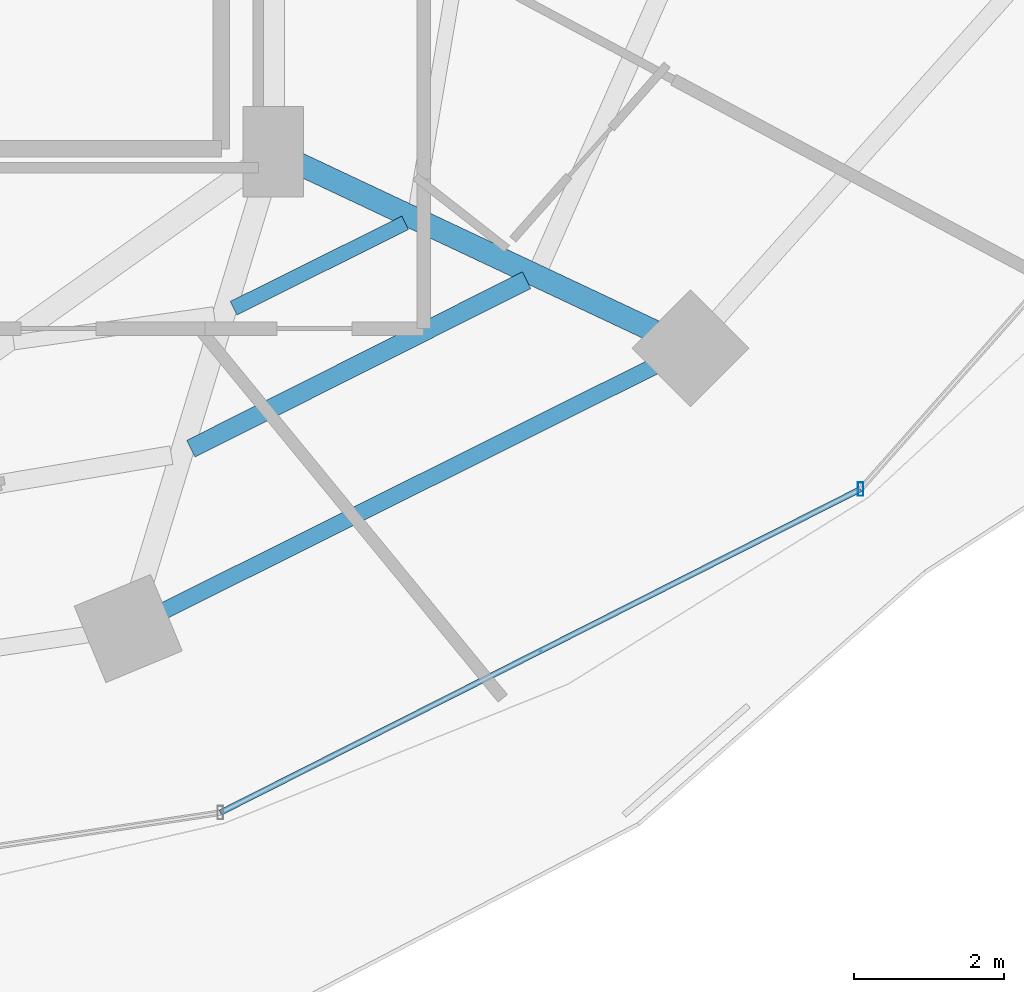
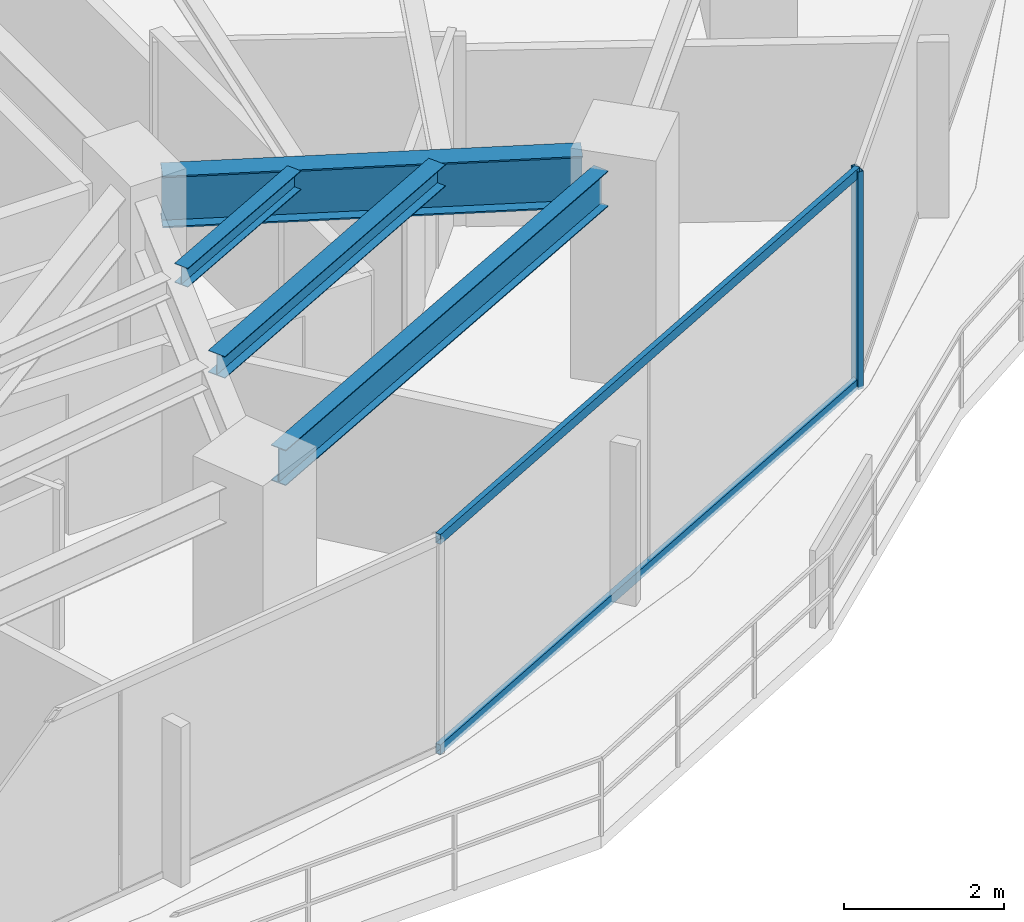
# One storey, part 11 of 29: 4 beams, 3 members, 1 element without a shape of its own.
"""IFC4 building model written with IfcOpenShell, lengths in metres."""

from ifc_helpers import new_model, si_unit, direction, frame, origin, origin_2d, place, context, subcontext, project, spatial, hollow_rectangle, i_section, extrude, material, material_profile, profile_set, type_object, element, aggregate, save


model = new_model("IFC4")

# Units and contexts
model_context = context("Model", 3, precision=1e-05, world=origin(), true_north=direction((0.0, 1.0)))
body_context = subcontext(model_context, "Body", "Model", "MODEL_VIEW")
ifc_project = project(units=[si_unit("LENGTHUNIT", "METRE"), si_unit("AREAUNIT", "SQUARE_METRE"), si_unit("VOLUMEUNIT", "CUBIC_METRE"), si_unit("PLANEANGLEUNIT", "RADIAN"), si_unit("MASSUNIT", "GRAM", prefix="KILO")], contexts=[model_context])

# Site, building, storey
site_placement = place(None, origin())
site = spatial("IfcSite", under=ifc_project, at=site_placement, CompositionType="ELEMENT")
building_placement = place(site_placement, origin())
building = spatial("IfcBuilding", under=site, at=building_placement, Name="Vorneva Point Tower", CompositionType="ELEMENT")
storey_placement = place(building_placement, frame((0.0, 0.0, 110.300048828125)))
storey = spatial("IfcBuildingStorey", under=building, at=storey_placement, Name="L29", CompositionType="ELEMENT", Elevation=110.300048828125)

# Beams
ifc_material_1 = material(Name="Steel S355", Category="steel")
ifc_material_profile_1 = material_profile(ifc_material_1, i_section(OverallWidth=0.300048828125, OverallDepth=0.7880859375, WebThickness=0.014404296875, FlangeThickness=0.02197265625, at=origin_2d()), Name="80Sh1")
ifc_profile_set_1 = profile_set([ifc_material_profile_1], Name="Steel S355")
beam_type_1 = type_object("IfcBeamType", Name="BM-GRD-80Sh1", PredefinedType="USERDEFINED", material=ifc_profile_set_1)
beam_1_placement = place(storey_placement, frame((53.81201171875, 14.06689453125, 2.845947265625), z_axis=(-0.904751304927, 0.425940226126, 0.0), x_axis=(-0.425940226126, -0.904751304927, 0.0)))
element("IfcBeam", 1, at=beam_1_placement, inside=storey, type_object=beam_type_1, Name="L29 Radial Primary Girder 15", ObjectType="GIRDER", PredefinedType="USERDEFINED", context=body_context, shape_type="SweptSolid", body=[
    extrude(i_section(OverallWidth=0.300048828125, OverallDepth=0.7880859375, WebThickness=0.014404296875, FlangeThickness=0.02197265625, at=origin_2d()), origin(), (0.0, 0.0, 1.0), 5.2548828125),
])
ifc_material_profile_2 = material_profile(ifc_material_1, i_section(OverallWidth=0.199951171875, OverallDepth=0.291015625, WebThickness=0.008056640625, FlangeThickness=0.010986328125, at=origin_2d()), Name="30Sh1")
ifc_profile_set_2 = profile_set([ifc_material_profile_2], Name="Steel S355")
beam_type_2 = type_object("IfcBeamType", Name="BM-SEC-30Sh1", PredefinedType="BEAM", material=ifc_profile_set_2)
beam_2_placement = place(storey_placement, frame((48.222412109375, 14.370849609375, 3.094482421875), z_axis=(0.895364579083, 0.445333886566, 0.0), x_axis=(-0.445333886566, 0.895364579083, 0.0)))
element("IfcBeam", 2, at=beam_2_placement, inside=storey, type_object=beam_type_2, Name="L29 Secondary Floor Beam 2.14", PredefinedType="BEAM", context=body_context, shape_type="SweptSolid", body=[
    extrude(i_section(OverallWidth=0.199951171875, OverallDepth=0.291015625, WebThickness=0.008056640625, FlangeThickness=0.010986328125, at=origin_2d()), origin(), (0.0, 0.0, 1.0), 2.547119140625),
])
ifc_material_profile_3 = material_profile(ifc_material_1, i_section(OverallWidth=0.2490234375, OverallDepth=0.333984375, WebThickness=0.008056640625, FlangeThickness=0.010986328125, at=origin_2d()), Name="35Sh1")
ifc_profile_set_3 = profile_set([ifc_material_profile_3], Name="Steel S355")
beam_type_3 = type_object("IfcBeamType", Name="BM-SEC-35Sh1", PredefinedType="BEAM", material=ifc_profile_set_3)
beam_3_placement = place(storey_placement, frame((47.653076171875, 12.501220703125, 3.072998046875), z_axis=(0.893693254795, 0.448678466537, 0.0), x_axis=(-0.448678466537, 0.893693254795, 0.0)))
element("IfcBeam", 3, at=beam_3_placement, inside=storey, type_object=beam_type_3, Name="L29 Secondary Floor Beam 1.14", PredefinedType="BEAM", context=body_context, shape_type="SweptSolid", body=[
    extrude(i_section(OverallWidth=0.2490234375, OverallDepth=0.333984375, WebThickness=0.008056640625, FlangeThickness=0.010986328125, at=origin_2d()), origin(), (0.0, 0.0, 1.0), 4.997802734375),
])
ifc_material_profile_4 = material_profile(ifc_material_1, i_section(OverallWidth=0.219970703125, OverallDepth=0.54296875, WebThickness=0.009521484375, FlangeThickness=0.013427734375, at=origin_2d()), Name="55B1")
ifc_profile_set_4 = profile_set([ifc_material_profile_4], Name="Steel S355")
beam_type_4 = type_object("IfcBeamType", Name="BM-SPN-55B1", PredefinedType="SPANDREL", material=ifc_profile_set_4)
beam_4_placement = place(storey_placement, frame((47.2998046875, 10.347900390625, 2.968505859375), z_axis=(0.894915882304, 0.446234874926, 0.0), x_axis=(-0.446234874926, 0.894915882304, 0.0)))
element("IfcBeam", 4, at=beam_4_placement, inside=storey, type_object=beam_type_4, Name="L29 Perimeter Spandrel Ring Beam 14", PredefinedType="SPANDREL", context=body_context, shape_type="SweptSolid", body=[
    extrude(i_section(OverallWidth=0.219970703125, OverallDepth=0.54296875, WebThickness=0.009521484375, FlangeThickness=0.013427734375, at=origin_2d()), origin(), (0.0, 0.0, 1.0), 7.285888671875),
])

# Curtain wall, members
ifc_material_2 = material(Name="Pale anodised aluminium", Category="aluminium")
curtain_wall_type = type_object("IfcCurtainWallType", Name="CW-HTL-SYS", PredefinedType="NOTDEFINED", material=ifc_material_2)
curtain_wall_placement = place(storey_placement, origin())
curtain_wall = element("IfcCurtainWall", 5, at=curtain_wall_placement, inside=storey, type_object=curtain_wall_type, Name="L29 Unitised Curtain Wall CW-L29-R04", PredefinedType="NOTDEFINED")
ifc_material_profile_5 = material_profile(ifc_material_2, hollow_rectangle(XDim=0.074951171875, YDim=0.179931640625, WallThickness=0.00390625, at=origin_2d()), Name="AL-MUL 180x75x4")
ifc_profile_set_5 = profile_set([ifc_material_profile_5], Name="Pale anodised aluminium")
member_type_1 = type_object("IfcMemberType", Name="CW-MUL-180", PredefinedType="MULLION", material=ifc_profile_set_5)
member_1_placement = place(storey_placement, frame((56.5615234375, 11.9638671875, -0.0400390625), z_axis=(0.0, 0.0, 1.0), x_axis=(1.0, 0.0, 0.0)))
member_1 = element("IfcMember", 6, at=member_1_placement, type_object=member_type_1, Name="CW-L29-R04 Mullion 05", PredefinedType="MULLION", context=body_context, shape_type="SweptSolid", body=[
    extrude(hollow_rectangle(XDim=0.074951171875, YDim=0.179931640625, WallThickness=0.00390625, at=origin_2d()), origin(), (0.0, 0.0, 1.0), 3.31005859375),
])
ifc_material_profile_6 = material_profile(ifc_material_2, hollow_rectangle(XDim=0.074951171875, YDim=0.14990234375, WallThickness=0.00390625, at=origin_2d()), Name="AL-TRN 150x75x4")
ifc_profile_set_6 = profile_set([ifc_material_profile_6], Name="Pale anodised aluminium")
member_type_2 = type_object("IfcMemberType", Name="CW-TRN-150", PredefinedType="USERDEFINED", material=ifc_profile_set_6)
member_2_placement = place(storey_placement, frame((48.04541015625, 7.660888671875, 0.02001953125), z_axis=(0.892536035732, 0.450976080207, 0.0), x_axis=(-0.450976080207, 0.892536035732, 0.0)))
member_2 = element("IfcMember", 7, at=member_2_placement, type_object=member_type_2, Name="CW-L29-R04 Transom 04.1", ObjectType="TRANSOM", PredefinedType="USERDEFINED", context=body_context, shape_type="SweptSolid", body=[
    extrude(hollow_rectangle(XDim=0.074951171875, YDim=0.14990234375, WallThickness=0.00390625, at=origin_2d()), origin(), (0.0, 0.0, 1.0), 9.54150390625),
])
member_3_placement = place(storey_placement, frame((48.04541015625, 7.660888671875, 3.219970703125), z_axis=(0.892536035732, 0.450976080207, 0.0), x_axis=(-0.450976080207, 0.892536035732, 0.0)))
member_3 = element("IfcMember", 8, at=member_3_placement, type_object=member_type_2, Name="CW-L29-R04 Transom 04.2", ObjectType="TRANSOM", PredefinedType="USERDEFINED", context=body_context, shape_type="SweptSolid", body=[
    extrude(hollow_rectangle(XDim=0.074951171875, YDim=0.14990234375, WallThickness=0.00390625, at=origin_2d()), origin(), (0.0, 0.0, 1.0), 9.54150390625),
])
aggregate(curtain_wall, [member_1, member_2, member_3])

save(model, "model.ifc")
